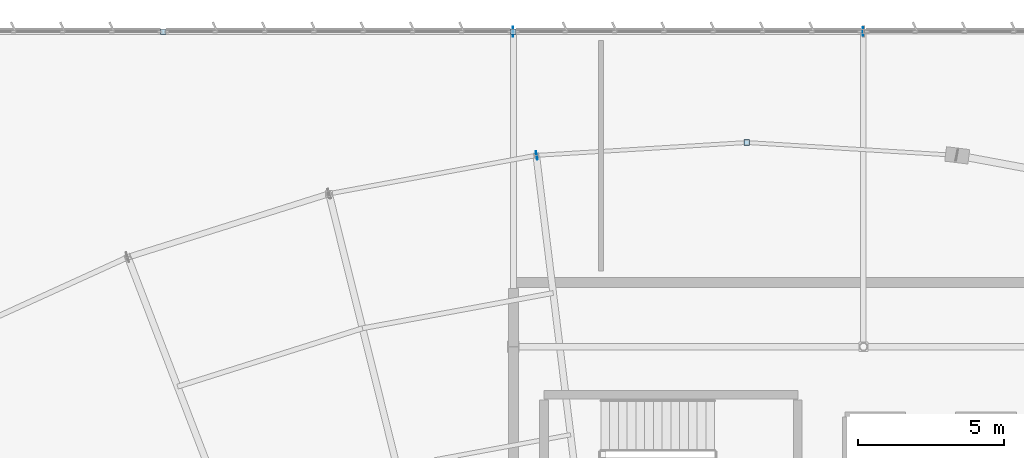
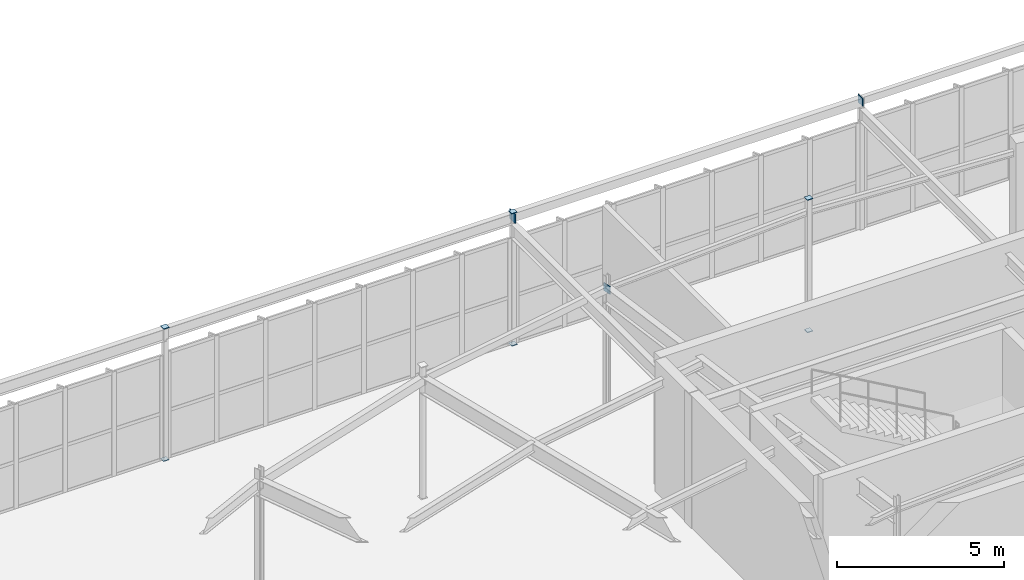
# One storey, part 142 of 186: 9 plates.
"""IFC4 building model written with IfcOpenShell, lengths in metres."""

from ifc_helpers import new_model, si_unit, direction, frame, origin, origin_2d, place, context, subcontext, project, spatial, rectangle, extrude, material, layer, layer_set, type_object, element, save


model = new_model("IFC4")

# Units and contexts
model_context = context("Model", 3, precision=1e-05, world=origin(), true_north=direction((0.0, 1.0)))
body_context = subcontext(model_context, "Body", "Model", "MODEL_VIEW")
ifc_project = project(units=[si_unit("LENGTHUNIT", "METRE"), si_unit("AREAUNIT", "SQUARE_METRE"), si_unit("VOLUMEUNIT", "CUBIC_METRE"), si_unit("PLANEANGLEUNIT", "RADIAN"), si_unit("MASSUNIT", "GRAM", prefix="KILO")], contexts=[model_context])

# Site, building, storey
site_placement = place(None, origin())
site = spatial("IfcSite", under=ifc_project, at=site_placement, CompositionType="ELEMENT")
building_placement = place(site_placement, origin())
building = spatial("IfcBuilding", under=site, at=building_placement, Name="Tarnwether General Hospital", CompositionType="ELEMENT")
storey_placement = place(building_placement, frame((0.0, 0.0, 9.60009765625)))
storey = spatial("IfcBuildingStorey", under=building, at=storey_placement, Name="L02", CompositionType="ELEMENT", Elevation=9.60009765625)

# Plates
ifc_material = material(Name="Steel Grade 350 (350 MPa)", Category="steel")
ifc_layer = layer(ifc_material, 0.02490234375)
ifc_layer_set = layer_set([ifc_layer], Name="Steel Grade 350 (350 MPa)")
plate_type = type_object("IfcPlateType", Name="PT-GUS2", PredefinedType="USERDEFINED", material=ifc_layer_set)
for number, where, z_axis, x_axis, name in (
    (1, (72.0, 126.0, -0.025146484375), (0.0, 0.0, 1.0), (1.0, 0.0, 0.0), "Hollow Section Welded End Cap Plate 0143"),
    (2, (72.0, 126.0, 4.800048828125), (0.0, 0.0, 1.0), (1.0, 0.0, 0.0), "Hollow Section Welded End Cap Plate 0144"),
    (3, (84.0, 126.0, -0.025146484375), (0.0, 0.0, 1.0), (1.0, 0.0, 0.0), "Hollow Section Welded End Cap Plate 0163"),
    (4, (84.0, 126.0, 4.800048828125), (0.0, 0.0, 1.0), (1.0, 0.0, 0.0), "Hollow Section Welded End Cap Plate 0164"),
    (5, (92.0, 122.199951171875, -0.025146484375), (0.0, 0.0, 1.0), (1.0, 0.0, 0.0), "Hollow Section Welded End Cap Plate 0525"),
    (6, (92.0, 122.199951171875, 4.800048828125), (0.0, 0.0, 1.0), (1.0, 0.0, 0.0), "Hollow Section Welded End Cap Plate 0526"),
):
    element("IfcPlate", number, at=place(storey_placement, frame(where, z_axis=z_axis, x_axis=x_axis)), inside=storey, type_object=plate_type, Name=name, ObjectType="GUSSET", PredefinedType="USERDEFINED", context=body_context, shape_type="SweptSolid", body=[
        extrude(rectangle(XDim=0.18994140625, YDim=0.18994140625, at=origin_2d()), origin(), (0.0, 0.0, 1.0), 0.02490234375),
    ])
plate_placement = place(storey_placement, frame((83.987548828125, 126.0, 4.47998046875), z_axis=(0.0, 0.0, 1.0), x_axis=(1.0, 0.0, 0.0)))
element("IfcPlate", 7, at=plate_placement, inside=storey, type_object=plate_type, Name="Hollow Section Welded End Cap Plate 0957", ObjectType="GUSSET", PredefinedType="USERDEFINED", context=body_context, shape_type="SweptSolid", body=[
    extrude(rectangle(XDim=0.02490234375, YDim=0.340087890625, at=origin_2d()), origin(), (0.0, 0.0, 1.0), 0.340087890625),
])
for number, where, z_axis, x_axis, name in (
    (8, (95.987548828125, 126.0, 4.52978515625), (0.0, 0.0, 1.0), (1.0, 0.0, 0.0), "Hollow Section Welded End Cap Plate 0959"),
    (9, (84.79736328125, 121.76123046875, 4.159912109375), (0.0, 0.0, 1.0), (0.983261268185, 0.18220120331, 0.0), "Hollow Section Welded End Cap Plate 0994"),
):
    element("IfcPlate", number, at=place(storey_placement, frame(where, z_axis=z_axis, x_axis=x_axis)), inside=storey, type_object=plate_type, Name=name, ObjectType="GUSSET", PredefinedType="USERDEFINED", context=body_context, shape_type="SweptSolid", body=[
        extrude(rectangle(XDim=0.02490234375, YDim=0.2900390625, at=origin_2d()), origin(), (0.0, 0.0, 1.0), 0.2900390625),
    ])

save(model, "model.ifc")
